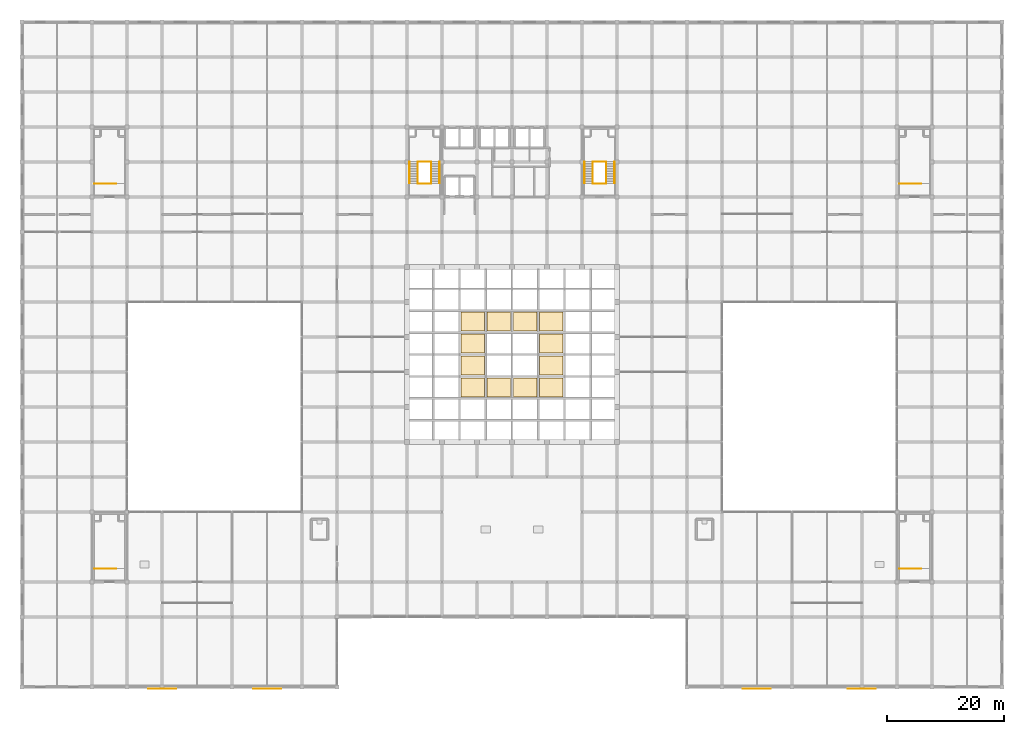
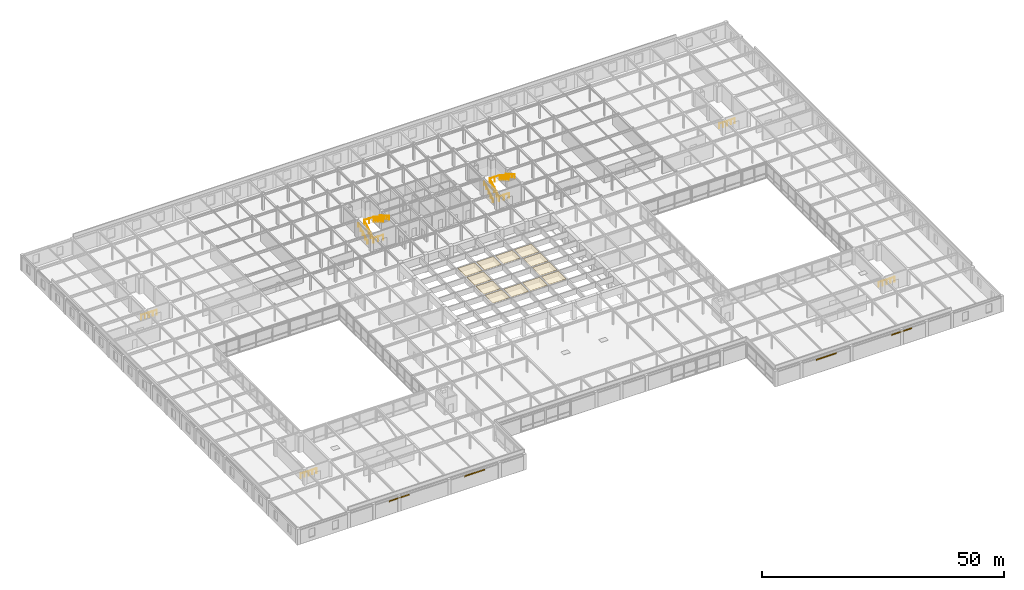
# One storey, part 111 of 111: 16 coverings, 12 railings.
"""IFC4 building model written with IfcOpenShell, lengths in metres."""

from ifc_helpers import new_model, si_unit, direction, frame, origin, origin_2d, place, context, subcontext, project, spatial, polyline, rectangle, circle, outline, extrude, material, layer, layer_set, type_object, element, save


model = new_model("IFC4")

# Units and contexts
model_context = context("Model", 3, precision=1e-05, world=origin(), true_north=direction((0.0, 1.0)))
body_context = subcontext(model_context, "Body", "Model", "MODEL_VIEW")
ifc_project = project(units=[si_unit("LENGTHUNIT", "METRE"), si_unit("AREAUNIT", "SQUARE_METRE"), si_unit("VOLUMEUNIT", "CUBIC_METRE"), si_unit("PLANEANGLEUNIT", "RADIAN"), si_unit("MASSUNIT", "GRAM", prefix="KILO")], contexts=[model_context])

# Site, building, storey
site_placement = place(None, origin())
site = spatial("IfcSite", under=ifc_project, at=site_placement, CompositionType="ELEMENT")
building_placement = place(site_placement, origin())
building = spatial("IfcBuilding", under=site, at=building_placement, Name="Zlatovratsky Civic Hall", CompositionType="ELEMENT")
storey_placement = place(building_placement, frame((0.0, 0.0, 16.5)))
storey = spatial("IfcBuildingStorey", under=building, at=storey_placement, Name="L04", CompositionType="ELEMENT", Elevation=16.5)

# Coverings
ifc_material_1 = material(Name="Moulded acoustic gypsum coffer ceiling", Category="gypsum")
ifc_layer_1 = layer(ifc_material_1, 0.0400390625)
ifc_layer_set_1 = layer_set([ifc_layer_1], Name="Moulded acoustic gypsum coffer ceiling")
covering_type_1 = type_object("IfcCoveringType", Name="Covering_AcousticCofferCeiling", PredefinedType="CEILING", material=ifc_layer_set_1)
covering_1_placement = place(storey_placement, frame((0.0, 0.0, 4.260009765625)))
element("IfcCovering", 1, at=covering_1_placement, inside=storey, type_object=covering_type_1, Name="CLG-01", PredefinedType="CEILING", context=body_context, shape_type="SweptSolid", body=[
    extrude(outline(polyline([(75.25, 49.75), (79.25, 49.75), (79.25, 53.0), (75.25, 53.0), (75.25, 49.75)])), origin(), (0.0, 0.0, 1.0), 0.0400390625),
])
covering_2_placement = place(storey_placement, frame((0.0, 0.0, 4.260009765625)))
element("IfcCovering", 2, at=covering_2_placement, inside=storey, type_object=covering_type_1, Name="CLG-02", PredefinedType="CEILING", context=body_context, shape_type="SweptSolid", body=[
    extrude(outline(polyline([(75.25, 53.5), (79.25, 53.5), (79.25, 56.75), (75.25, 56.75), (75.25, 53.5)])), origin(), (0.0, 0.0, 1.0), 0.0400390625),
])
covering_3_placement = place(storey_placement, frame((0.0, 0.0, 4.260009765625)))
element("IfcCovering", 3, at=covering_3_placement, inside=storey, type_object=covering_type_1, Name="CLG-03", PredefinedType="CEILING", context=body_context, shape_type="SweptSolid", body=[
    extrude(outline(polyline([(75.25, 57.25), (79.25, 57.25), (79.25, 60.5), (75.25, 60.5), (75.25, 57.25)])), origin(), (0.0, 0.0, 1.0), 0.0400390625),
])
covering_4_placement = place(storey_placement, frame((0.0, 0.0, 4.260009765625)))
element("IfcCovering", 4, at=covering_4_placement, inside=storey, type_object=covering_type_1, Name="CLG-04", PredefinedType="CEILING", context=body_context, shape_type="SweptSolid", body=[
    extrude(outline(polyline([(75.25, 61.0), (79.25, 61.0), (79.25, 64.25), (75.25, 64.25), (75.25, 61.0)])), origin(), (0.0, 0.0, 1.0), 0.0400390625),
])
covering_5_placement = place(storey_placement, frame((0.0, 0.0, 4.260009765625)))
element("IfcCovering", 5, at=covering_5_placement, inside=storey, type_object=covering_type_1, Name="CLG-05", PredefinedType="CEILING", context=body_context, shape_type="SweptSolid", body=[
    extrude(outline(polyline([(79.75, 49.75), (83.75, 49.75), (83.75, 53.0), (79.75, 53.0), (79.75, 49.75)])), origin(), (0.0, 0.0, 1.0), 0.0400390625),
])
covering_6_placement = place(storey_placement, frame((0.0, 0.0, 4.260009765625)))
element("IfcCovering", 6, at=covering_6_placement, inside=storey, type_object=covering_type_1, Name="CLG-06", PredefinedType="CEILING", context=body_context, shape_type="SweptSolid", body=[
    extrude(outline(polyline([(79.75, 61.0), (83.75, 61.0), (83.75, 64.25), (79.75, 64.25), (79.75, 61.0)])), origin(), (0.0, 0.0, 1.0), 0.0400390625),
])
covering_7_placement = place(storey_placement, frame((0.0, 0.0, 4.260009765625)))
element("IfcCovering", 7, at=covering_7_placement, inside=storey, type_object=covering_type_1, Name="CLG-07", PredefinedType="CEILING", context=body_context, shape_type="SweptSolid", body=[
    extrude(outline(polyline([(84.25, 49.75), (88.25, 49.75), (88.25, 53.0), (84.25, 53.0), (84.25, 49.75)])), origin(), (0.0, 0.0, 1.0), 0.0400390625),
])
covering_8_placement = place(storey_placement, frame((0.0, 0.0, 4.260009765625)))
element("IfcCovering", 8, at=covering_8_placement, inside=storey, type_object=covering_type_1, Name="CLG-08", PredefinedType="CEILING", context=body_context, shape_type="SweptSolid", body=[
    extrude(outline(polyline([(84.25, 61.0), (88.25, 61.0), (88.25, 64.25), (84.25, 64.25), (84.25, 61.0)])), origin(), (0.0, 0.0, 1.0), 0.0400390625),
])
covering_9_placement = place(storey_placement, frame((0.0, 0.0, 4.260009765625)))
element("IfcCovering", 9, at=covering_9_placement, inside=storey, type_object=covering_type_1, Name="CLG-09", PredefinedType="CEILING", context=body_context, shape_type="SweptSolid", body=[
    extrude(outline(polyline([(88.75, 49.75), (92.75, 49.75), (92.75, 53.0), (88.75, 53.0), (88.75, 49.75)])), origin(), (0.0, 0.0, 1.0), 0.0400390625),
])
covering_10_placement = place(storey_placement, frame((0.0, 0.0, 4.260009765625)))
element("IfcCovering", 10, at=covering_10_placement, inside=storey, type_object=covering_type_1, Name="CLG-10", PredefinedType="CEILING", context=body_context, shape_type="SweptSolid", body=[
    extrude(outline(polyline([(88.75, 53.5), (92.75, 53.5), (92.75, 56.75), (88.75, 56.75), (88.75, 53.5)])), origin(), (0.0, 0.0, 1.0), 0.0400390625),
])
covering_11_placement = place(storey_placement, frame((0.0, 0.0, 4.260009765625)))
element("IfcCovering", 11, at=covering_11_placement, inside=storey, type_object=covering_type_1, Name="CLG-11", PredefinedType="CEILING", context=body_context, shape_type="SweptSolid", body=[
    extrude(outline(polyline([(88.75, 57.25), (92.75, 57.25), (92.75, 60.5), (88.75, 60.5), (88.75, 57.25)])), origin(), (0.0, 0.0, 1.0), 0.0400390625),
])
covering_12_placement = place(storey_placement, frame((0.0, 0.0, 4.260009765625)))
element("IfcCovering", 12, at=covering_12_placement, inside=storey, type_object=covering_type_1, Name="CLG-12", PredefinedType="CEILING", context=body_context, shape_type="SweptSolid", body=[
    extrude(outline(polyline([(88.75, 61.0), (92.75, 61.0), (92.75, 64.25), (88.75, 64.25), (88.75, 61.0)])), origin(), (0.0, 0.0, 1.0), 0.0400390625),
])
ifc_material_2 = material(Name="Podolsk limestone ashlar", Category="masonry")
ifc_layer_2 = layer(ifc_material_2, 0.054931640625)
ifc_layer_set_2 = layer_set([ifc_layer_2], Name="Podolsk limestone ashlar")
covering_type_2 = type_object("IfcCoveringType", Name="Covering_CorniceCladding_55", PredefinedType="CLADDING", material=ifc_layer_set_2)
for number, where, z_axis, x_axis, name in (
    (13, (24.0, -0.297607421875, 3.25), (0.0, 0.0, 1.0), (1.0, 0.0, 0.0), "CLD-013"),
    (14, (42.0, -0.297607421875, 3.25), (0.0, 0.0, 1.0), (1.0, 0.0, 0.0), "CLD-014"),
    (15, (126.0, -0.297607421875, 3.25), (0.0, 0.0, 1.0), (1.0, 0.0, 0.0), "CLD-015"),
    (16, (144.0, -0.297607421875, 3.25), (0.0, 0.0, 1.0), (1.0, 0.0, 0.0), "CLD-016"),
):
    element("IfcCovering", number, at=place(storey_placement, frame(where, z_axis=z_axis, x_axis=x_axis)), inside=storey, type_object=covering_type_2, Name=name, PredefinedType="CLADDING", context=body_context, shape_type="SweptSolid", body=[
        extrude(rectangle(XDim=4.800048828125, YDim=0.054931640625, at=origin_2d()), origin(), (0.0, 0.0, 1.0), 0.300048828125),
    ])

# Railings
ifc_material_3 = material(Name="Brushed stainless steel AISI 304", Category="steel")
railing_type_1 = type_object("IfcRailingType", Name="Railing_Guardrail_1200", PredefinedType="GUARDRAIL", material=ifc_material_3)
railing_1_placement = place(storey_placement, frame((67.840087890625, 86.35009765625, 0.0)))
element("IfcRailing", 17, at=railing_1_placement, inside=storey, type_object=railing_type_1, Name="RL-0516", PredefinedType="GUARDRAIL", context=body_context, shape_type="SweptSolid", body=[
    extrude(circle(Radius=0.02392578125, at=origin_2d()), frame((0.0, 0.0, 1.17578125), z_axis=(0.0, 0.854722365387, 0.519085424673), x_axis=(-1.0, 0.0, 0.0)), (0.0, 0.0, 1.0), 4.33447265625),
    extrude(circle(Radius=0.02392578125, at=origin_2d()), frame((0.0, 3.704833984375, 3.42578125), z_axis=(1.0, 0.0, 0.0), x_axis=(0.0, 1.0, 0.0)), (0.0, 0.0, 1.0), 2.31982421875),
    extrude(circle(Radius=0.02392578125, at=origin_2d()), frame((2.31982421875, 3.704833984375, 3.42578125), z_axis=(0.0, -0.854722365387, 0.519085424673), x_axis=(1.0, 0.0, 0.0)), (0.0, 0.0, 1.0), 4.33447265625),
    extrude(circle(Radius=0.02099609375, at=origin_2d()), origin(), (0.0, 0.0, 1.0), 1.15185546875),
    extrude(circle(Radius=0.02099609375, at=origin_2d()), frame((0.0, 0.92626953125, 0.5625)), (0.0, 0.0, 1.0), 1.15185546875),
    extrude(circle(Radius=0.02099609375, at=origin_2d()), frame((0.0, 1.8525390625, 1.125)), (0.0, 0.0, 1.0), 1.15185546875),
    extrude(circle(Radius=0.02099609375, at=origin_2d()), frame((0.0, 2.778564453125, 1.6875)), (0.0, 0.0, 1.0), 1.15185546875),
    extrude(circle(Radius=0.02099609375, at=origin_2d()), frame((0.0, 3.704833984375, 2.25)), (0.0, 0.0, 1.0), 1.15185546875),
    extrude(circle(Radius=0.02099609375, at=origin_2d()), frame((1.159912109375, 3.704833984375, 2.25)), (0.0, 0.0, 1.0), 1.15185546875),
    extrude(circle(Radius=0.02099609375, at=origin_2d()), frame((2.31982421875, 3.704833984375, 2.25)), (0.0, 0.0, 1.0), 1.15185546875),
    extrude(circle(Radius=0.02099609375, at=origin_2d()), frame((2.31982421875, 2.778564453125, 2.8125)), (0.0, 0.0, 1.0), 1.15185546875),
    extrude(circle(Radius=0.02099609375, at=origin_2d()), frame((2.31982421875, 1.8525390625, 3.375)), (0.0, 0.0, 1.0), 1.15185546875),
    extrude(circle(Radius=0.02099609375, at=origin_2d()), frame((2.31982421875, 0.92626953125, 3.9375)), (0.0, 0.0, 1.0), 1.15185546875),
    extrude(circle(Radius=0.02099609375, at=origin_2d()), frame((2.31982421875, 0.0, 4.5)), (0.0, 0.0, 1.0), 1.15185546875),
])
railing_2_placement = place(storey_placement, frame((67.840087890625, 86.27001953125, 0.0)))
element("IfcRailing", 18, at=railing_2_placement, inside=storey, type_object=railing_type_1, Name="RL-0519", PredefinedType="GUARDRAIL", context=body_context, shape_type="SweptSolid", body=[
    extrude(circle(Radius=0.02392578125, at=origin_2d()), frame((0.0, 0.0, 1.17578125), z_axis=(1.0, 0.0, 0.0), x_axis=(0.0, 1.0, 0.0)), (0.0, 0.0, 1.0), 2.31982421875),
    extrude(circle(Radius=0.02099609375, at=origin_2d()), origin(), (0.0, 0.0, 1.0), 1.15185546875),
    extrude(circle(Radius=0.02099609375, at=origin_2d()), frame((1.159912109375, 0.0, 0.0)), (0.0, 0.0, 1.0), 1.15185546875),
    extrude(circle(Radius=0.02099609375, at=origin_2d()), frame((2.31982421875, 0.0, 0.0)), (0.0, 0.0, 1.0), 1.15185546875),
])
railing_3_placement = place(storey_placement, frame((97.840087890625, 86.35009765625, 0.0)))
element("IfcRailing", 19, at=railing_3_placement, inside=storey, type_object=railing_type_1, Name="RL-0592", PredefinedType="GUARDRAIL", context=body_context, shape_type="SweptSolid", body=[
    extrude(circle(Radius=0.02392578125, at=origin_2d()), frame((0.0, 0.0, 1.17578125), z_axis=(0.0, 0.854722365387, 0.519085424673), x_axis=(-1.0, 0.0, 0.0)), (0.0, 0.0, 1.0), 4.33447265625),
    extrude(circle(Radius=0.02392578125, at=origin_2d()), frame((0.0, 3.704833984375, 3.42578125), z_axis=(1.0, 0.0, 0.0), x_axis=(0.0, 1.0, 0.0)), (0.0, 0.0, 1.0), 2.31982421875),
    extrude(circle(Radius=0.02392578125, at=origin_2d()), frame((2.31982421875, 3.704833984375, 3.42578125), z_axis=(0.0, -0.854722365387, 0.519085424673), x_axis=(1.0, 0.0, 0.0)), (0.0, 0.0, 1.0), 4.33447265625),
    extrude(circle(Radius=0.02099609375, at=origin_2d()), origin(), (0.0, 0.0, 1.0), 1.15185546875),
    extrude(circle(Radius=0.02099609375, at=origin_2d()), frame((0.0, 0.92626953125, 0.5625)), (0.0, 0.0, 1.0), 1.15185546875),
    extrude(circle(Radius=0.02099609375, at=origin_2d()), frame((0.0, 1.8525390625, 1.125)), (0.0, 0.0, 1.0), 1.15185546875),
    extrude(circle(Radius=0.02099609375, at=origin_2d()), frame((0.0, 2.778564453125, 1.6875)), (0.0, 0.0, 1.0), 1.15185546875),
    extrude(circle(Radius=0.02099609375, at=origin_2d()), frame((0.0, 3.704833984375, 2.25)), (0.0, 0.0, 1.0), 1.15185546875),
    extrude(circle(Radius=0.02099609375, at=origin_2d()), frame((1.159912109375, 3.704833984375, 2.25)), (0.0, 0.0, 1.0), 1.15185546875),
    extrude(circle(Radius=0.02099609375, at=origin_2d()), frame((2.31982421875, 3.704833984375, 2.25)), (0.0, 0.0, 1.0), 1.15185546875),
    extrude(circle(Radius=0.02099609375, at=origin_2d()), frame((2.31982421875, 2.778564453125, 2.8125)), (0.0, 0.0, 1.0), 1.15185546875),
    extrude(circle(Radius=0.02099609375, at=origin_2d()), frame((2.31982421875, 1.8525390625, 3.375)), (0.0, 0.0, 1.0), 1.15185546875),
    extrude(circle(Radius=0.02099609375, at=origin_2d()), frame((2.31982421875, 0.92626953125, 3.9375)), (0.0, 0.0, 1.0), 1.15185546875),
    extrude(circle(Radius=0.02099609375, at=origin_2d()), frame((2.31982421875, 0.0, 4.5)), (0.0, 0.0, 1.0), 1.15185546875),
])
railing_4_placement = place(storey_placement, frame((97.840087890625, 86.27001953125, 0.0)))
element("IfcRailing", 20, at=railing_4_placement, inside=storey, type_object=railing_type_1, Name="RL-0595", PredefinedType="GUARDRAIL", context=body_context, shape_type="SweptSolid", body=[
    extrude(circle(Radius=0.02392578125, at=origin_2d()), frame((0.0, 0.0, 1.17578125), z_axis=(1.0, 0.0, 0.0), x_axis=(0.0, 1.0, 0.0)), (0.0, 0.0, 1.0), 2.31982421875),
    extrude(circle(Radius=0.02099609375, at=origin_2d()), origin(), (0.0, 0.0, 1.0), 1.15185546875),
    extrude(circle(Radius=0.02099609375, at=origin_2d()), frame((1.159912109375, 0.0, 0.0)), (0.0, 0.0, 1.0), 1.15185546875),
    extrude(circle(Radius=0.02099609375, at=origin_2d()), frame((2.31982421875, 0.0, 0.0)), (0.0, 0.0, 1.0), 1.15185546875),
])
for number, where, name in (
    (21, (12.3798828125, 20.27001953125, 0.0), "RL-0664"),
    (22, (150.3798828125, 20.27001953125, 0.0), "RL-0680"),
    (23, (12.3798828125, 86.27001953125, 0.0), "RL-0696"),
    (24, (150.3798828125, 86.27001953125, 0.0), "RL-0712"),
):
    element("IfcRailing", number, at=place(storey_placement, frame(where)), inside=storey, type_object=railing_type_1, Name=name, PredefinedType="GUARDRAIL", context=body_context, shape_type="SweptSolid", body=[
        extrude(circle(Radius=0.02392578125, at=origin_2d()), frame((0.0, 0.0, 1.17578125), z_axis=(1.0, 0.0, 0.0), x_axis=(0.0, 1.0, 0.0)), (0.0, 0.0, 1.0), 3.730224609375),
        extrude(circle(Radius=0.02099609375, at=origin_2d()), origin(), (0.0, 0.0, 1.0), 1.15185546875),
        extrude(circle(Radius=0.02099609375, at=origin_2d()), frame((0.9326171875, 0.0, 0.0)), (0.0, 0.0, 1.0), 1.15185546875),
        extrude(circle(Radius=0.02099609375, at=origin_2d()), frame((1.865234375, 0.0, 0.0)), (0.0, 0.0, 1.0), 1.15185546875),
        extrude(circle(Radius=0.02099609375, at=origin_2d()), frame((2.797607421875, 0.0, 0.0)), (0.0, 0.0, 1.0), 1.15185546875),
        extrude(circle(Radius=0.02099609375, at=origin_2d()), frame((3.730224609375, 0.0, 0.0)), (0.0, 0.0, 1.0), 1.15185546875),
    ])
railing_type_2 = type_object("IfcRailingType", Name="Railing_Handrail_900", PredefinedType="HANDRAIL", material=ifc_material_3)
railing_5_placement = place(storey_placement, frame((66.429931640625, 86.35009765625, 0.160888671875)))
element("IfcRailing", 25, at=railing_5_placement, inside=storey, type_object=railing_type_2, Name="RL-0517", PredefinedType="HANDRAIL", context=body_context, shape_type="SweptSolid", body=[
    extrude(circle(Radius=0.02392578125, at=origin_2d()), frame((0.0, 0.0, 0.8759765625), z_axis=(0.0, 0.871058445265, 0.491179381623), x_axis=(-1.0, 0.0, 0.0)), (0.0, 0.0, 1.0), 4.253173828125),
    extrude(circle(Radius=0.02099609375, at=origin_2d()), origin(), (0.0, 0.0, 1.0), 0.851806640625),
    extrude(circle(Radius=0.02099609375, at=origin_2d()), frame((0.0, 0.92626953125, 0.522216796875)), (0.0, 0.0, 1.0), 0.851806640625),
    extrude(circle(Radius=0.02099609375, at=origin_2d()), frame((0.0, 1.8525390625, 1.04443359375)), (0.0, 0.0, 1.0), 0.851806640625),
    extrude(circle(Radius=0.02099609375, at=origin_2d()), frame((0.0, 2.778564453125, 1.56689453125)), (0.0, 0.0, 1.0), 0.851806640625),
    extrude(circle(Radius=0.02099609375, at=origin_2d()), frame((0.0, 3.704833984375, 2.089111328125)), (0.0, 0.0, 1.0), 0.851806640625),
])
railing_6_placement = place(storey_placement, frame((71.570068359375, 90.054931640625, 2.410888671875)))
element("IfcRailing", 26, at=railing_6_placement, inside=storey, type_object=railing_type_2, Name="RL-0518", PredefinedType="HANDRAIL", context=body_context, shape_type="SweptSolid", body=[
    extrude(circle(Radius=0.02392578125, at=origin_2d()), frame((0.0, 0.0, 0.8759765625), z_axis=(0.0, -0.871058445265, 0.491179381623), x_axis=(1.0, 0.0, 0.0)), (0.0, 0.0, 1.0), 4.253173828125),
    extrude(circle(Radius=0.02099609375, at=origin_2d()), origin(), (0.0, 0.0, 1.0), 0.851806640625),
    extrude(circle(Radius=0.02099609375, at=origin_2d()), frame((0.0, -0.92626953125, 0.522216796875)), (0.0, 0.0, 1.0), 0.851806640625),
    extrude(circle(Radius=0.02099609375, at=origin_2d()), frame((0.0, -1.8525390625, 1.04443359375)), (0.0, 0.0, 1.0), 0.851806640625),
    extrude(circle(Radius=0.02099609375, at=origin_2d()), frame((0.0, -2.778564453125, 1.56689453125)), (0.0, 0.0, 1.0), 0.851806640625),
    extrude(circle(Radius=0.02099609375, at=origin_2d()), frame((0.0, -3.704833984375, 2.089111328125)), (0.0, 0.0, 1.0), 0.851806640625),
])
railing_7_placement = place(storey_placement, frame((96.429931640625, 86.35009765625, 0.160888671875)))
element("IfcRailing", 27, at=railing_7_placement, inside=storey, type_object=railing_type_2, Name="RL-0593", PredefinedType="HANDRAIL", context=body_context, shape_type="SweptSolid", body=[
    extrude(circle(Radius=0.02392578125, at=origin_2d()), frame((0.0, 0.0, 0.8759765625), z_axis=(0.0, 0.871058445265, 0.491179381623), x_axis=(-1.0, 0.0, 0.0)), (0.0, 0.0, 1.0), 4.253173828125),
    extrude(circle(Radius=0.02099609375, at=origin_2d()), origin(), (0.0, 0.0, 1.0), 0.851806640625),
    extrude(circle(Radius=0.02099609375, at=origin_2d()), frame((0.0, 0.92626953125, 0.522216796875)), (0.0, 0.0, 1.0), 0.851806640625),
    extrude(circle(Radius=0.02099609375, at=origin_2d()), frame((0.0, 1.8525390625, 1.04443359375)), (0.0, 0.0, 1.0), 0.851806640625),
    extrude(circle(Radius=0.02099609375, at=origin_2d()), frame((0.0, 2.778564453125, 1.56689453125)), (0.0, 0.0, 1.0), 0.851806640625),
    extrude(circle(Radius=0.02099609375, at=origin_2d()), frame((0.0, 3.704833984375, 2.089111328125)), (0.0, 0.0, 1.0), 0.851806640625),
])
railing_8_placement = place(storey_placement, frame((101.570068359375, 90.054931640625, 2.410888671875)))
element("IfcRailing", 28, at=railing_8_placement, inside=storey, type_object=railing_type_2, Name="RL-0594", PredefinedType="HANDRAIL", context=body_context, shape_type="SweptSolid", body=[
    extrude(circle(Radius=0.02392578125, at=origin_2d()), frame((0.0, 0.0, 0.8759765625), z_axis=(0.0, -0.871058445265, 0.491179381623), x_axis=(1.0, 0.0, 0.0)), (0.0, 0.0, 1.0), 4.253173828125),
    extrude(circle(Radius=0.02099609375, at=origin_2d()), origin(), (0.0, 0.0, 1.0), 0.851806640625),
    extrude(circle(Radius=0.02099609375, at=origin_2d()), frame((0.0, -0.92626953125, 0.522216796875)), (0.0, 0.0, 1.0), 0.851806640625),
    extrude(circle(Radius=0.02099609375, at=origin_2d()), frame((0.0, -1.8525390625, 1.04443359375)), (0.0, 0.0, 1.0), 0.851806640625),
    extrude(circle(Radius=0.02099609375, at=origin_2d()), frame((0.0, -2.778564453125, 1.56689453125)), (0.0, 0.0, 1.0), 0.851806640625),
    extrude(circle(Radius=0.02099609375, at=origin_2d()), frame((0.0, -3.704833984375, 2.089111328125)), (0.0, 0.0, 1.0), 0.851806640625),
])

save(model, "model.ifc")
